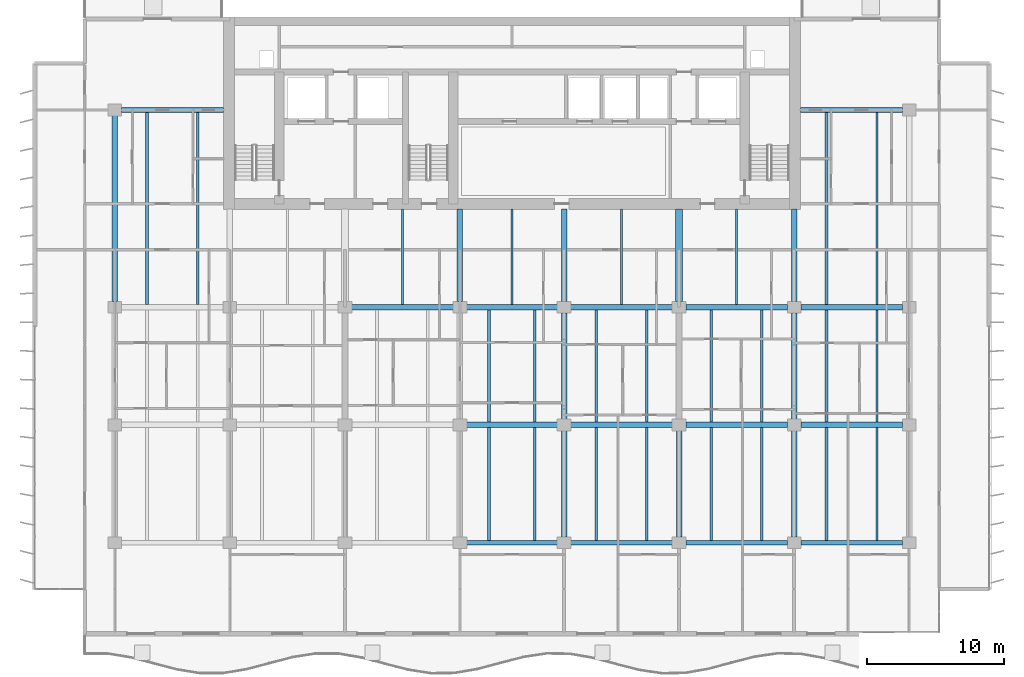
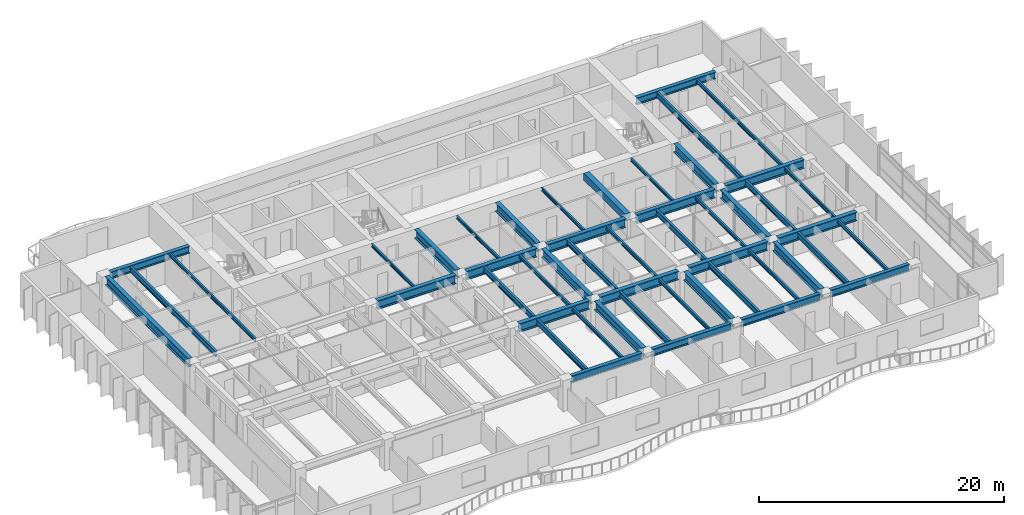
# One storey, part 3 of 19: 49 beams.
"""IFC4 building model written with IfcOpenShell, lengths in metres."""

from ifc_helpers import new_model, si_unit, direction, frame, origin, origin_2d, place, context, subcontext, project, spatial, rectangle, i_section, extrude, material, material_profile, profile_set, type_object, element, save


model = new_model("IFC4")

# Units and contexts
model_context = context("Model", 3, precision=1e-05, world=origin(), true_north=direction((0.0, 1.0)))
body_context = subcontext(model_context, "Body", "Model", "MODEL_VIEW")
ifc_project = project(units=[si_unit("LENGTHUNIT", "METRE"), si_unit("AREAUNIT", "SQUARE_METRE"), si_unit("VOLUMEUNIT", "CUBIC_METRE"), si_unit("PLANEANGLEUNIT", "RADIAN"), si_unit("MASSUNIT", "GRAM", prefix="KILO")], contexts=[model_context])

# Site, building, storey
site_placement = place(None, origin())
site = spatial("IfcSite", under=ifc_project, at=site_placement, CompositionType="ELEMENT")
building_placement = place(site_placement, origin())
building = spatial("IfcBuilding", under=site, at=building_placement, Name="Caelmar Bay Residences", CompositionType="ELEMENT")
storey_placement = place(building_placement, frame((0.0, 0.0, 112.5)))
storey = spatial("IfcBuildingStorey", under=building, at=storey_placement, Name="L30", CompositionType="ELEMENT", Elevation=112.5)

# Beams
ifc_material_1 = material(Name="Steel ASTM A992 Grade 50", Category="steel")
ifc_material_profile_1 = material_profile(ifc_material_1, i_section(OverallWidth=0.40087890625, OverallDepth=0.861083984375, WebThickness=0.019775390625, FlangeThickness=0.032470703125, FilletRadius=0.017822265625, at=origin_2d()), Name="W33X221")
ifc_profile_set_1 = profile_set([ifc_material_profile_1], Name="Steel ASTM A992 Grade 50")
beam_type_1 = type_object("IfcBeamType", Name="BM-GRD-W33X221", PredefinedType="BEAM", material=ifc_profile_set_1)
beam_1_placement = place(storey_placement, frame((35.590087890625, 20.800048828125, 2.619384765625), z_axis=(1.0, 0.0, 0.0), x_axis=(0.0, 1.0, 0.0)))
element("IfcBeam", 1, at=beam_1_placement, inside=storey, type_object=beam_type_1, Name="L30 East-West Girder Y=20.80 (35.1-42.7)", PredefinedType="BEAM", context=body_context, shape_type="SweptSolid", body=[
    extrude(i_section(OverallWidth=0.40087890625, OverallDepth=0.861083984375, WebThickness=0.019775390625, FlangeThickness=0.032470703125, FilletRadius=0.017822265625, at=origin_2d()), origin(), (0.0, 0.0, 1.0), 6.619873046875),
])
beam_2_placement = place(storey_placement, frame((43.18994140625, 20.800048828125, 2.619384765625), z_axis=(1.0, 0.0, 0.0), x_axis=(0.0, 1.0, 0.0)))
element("IfcBeam", 2, at=beam_2_placement, inside=storey, type_object=beam_type_1, Name="L30 East-West Girder Y=20.80 (42.7-51.1)", PredefinedType="BEAM", context=body_context, shape_type="SweptSolid", body=[
    extrude(i_section(OverallWidth=0.40087890625, OverallDepth=0.861083984375, WebThickness=0.019775390625, FlangeThickness=0.032470703125, FilletRadius=0.017822265625, at=origin_2d()), origin(), (0.0, 0.0, 1.0), 7.420166015625),
])
for number, where, z_axis, x_axis, name in (
    (3, (51.590087890625, 20.800048828125, 2.619384765625), (1.0, 0.0, 0.0), (0.0, 1.0, 0.0), "L30 East-West Girder Y=20.80 (51.1-59.5)"),
    (4, (59.989990234375, 20.800048828125, 2.619384765625), (1.0, 0.0, 0.0), (0.0, 1.0, 0.0), "L30 East-West Girder Y=20.80 (59.5-67.9)"),
):
    element("IfcBeam", number, at=place(storey_placement, frame(where, z_axis=z_axis, x_axis=x_axis)), inside=storey, type_object=beam_type_1, Name=name, PredefinedType="BEAM", context=body_context, shape_type="SweptSolid", body=[
        extrude(i_section(OverallWidth=0.40087890625, OverallDepth=0.861083984375, WebThickness=0.019775390625, FlangeThickness=0.032470703125, FilletRadius=0.017822265625, at=origin_2d()), origin(), (0.0, 0.0, 1.0), 7.419921875),
    ])
beam_3_placement = place(storey_placement, frame((27.18994140625, 29.39990234375, 2.619384765625), z_axis=(1.0, 0.0, 0.0), x_axis=(0.0, 1.0, 0.0)))
element("IfcBeam", 5, at=beam_3_placement, inside=storey, type_object=beam_type_1, Name="L30 East-West Girder Y=29.40 (26.7-35.1)", PredefinedType="BEAM", context=body_context, shape_type="SweptSolid", body=[
    extrude(i_section(OverallWidth=0.40087890625, OverallDepth=0.861083984375, WebThickness=0.019775390625, FlangeThickness=0.032470703125, FilletRadius=0.017822265625, at=origin_2d()), origin(), (0.0, 0.0, 1.0), 7.420166015625),
])
beam_4_placement = place(storey_placement, frame((35.590087890625, 29.39990234375, 2.619384765625), z_axis=(1.0, 0.0, 0.0), x_axis=(0.0, 1.0, 0.0)))
element("IfcBeam", 6, at=beam_4_placement, inside=storey, type_object=beam_type_1, Name="L30 East-West Girder Y=29.40 (35.1-42.7)", PredefinedType="BEAM", context=body_context, shape_type="SweptSolid", body=[
    extrude(i_section(OverallWidth=0.40087890625, OverallDepth=0.861083984375, WebThickness=0.019775390625, FlangeThickness=0.032470703125, FilletRadius=0.017822265625, at=origin_2d()), origin(), (0.0, 0.0, 1.0), 6.619873046875),
])
beam_5_placement = place(storey_placement, frame((43.18994140625, 29.39990234375, 2.619384765625), z_axis=(1.0, 0.0, 0.0), x_axis=(0.0, 1.0, 0.0)))
element("IfcBeam", 7, at=beam_5_placement, inside=storey, type_object=beam_type_1, Name="L30 East-West Girder Y=29.40 (42.7-51.1)", PredefinedType="BEAM", context=body_context, shape_type="SweptSolid", body=[
    extrude(i_section(OverallWidth=0.40087890625, OverallDepth=0.861083984375, WebThickness=0.019775390625, FlangeThickness=0.032470703125, FilletRadius=0.017822265625, at=origin_2d()), origin(), (0.0, 0.0, 1.0), 7.420166015625),
])
for number, where, z_axis, x_axis, name in (
    (8, (51.590087890625, 29.39990234375, 2.619384765625), (1.0, 0.0, 0.0), (0.0, 1.0, 0.0), "L30 East-West Girder Y=29.40 (51.1-59.5)"),
    (9, (59.989990234375, 29.39990234375, 2.619384765625), (1.0, 0.0, 0.0), (0.0, 1.0, 0.0), "L30 East-West Girder Y=29.40 (59.5-67.9)"),
):
    element("IfcBeam", number, at=place(storey_placement, frame(where, z_axis=z_axis, x_axis=x_axis)), inside=storey, type_object=beam_type_1, Name=name, PredefinedType="BEAM", context=body_context, shape_type="SweptSolid", body=[
        extrude(i_section(OverallWidth=0.40087890625, OverallDepth=0.861083984375, WebThickness=0.019775390625, FlangeThickness=0.032470703125, FilletRadius=0.017822265625, at=origin_2d()), origin(), (0.0, 0.0, 1.0), 7.419921875),
    ])
beam_6_placement = place(storey_placement, frame((9.89990234375, 29.81494140625, 2.619384765625), z_axis=(0.0, 1.0, 0.0), x_axis=(-1.0, 0.0, 0.0)))
element("IfcBeam", 10, at=beam_6_placement, inside=storey, type_object=beam_type_1, Name="L30 North-South Girder X=9.90 (29.4-43.8)", PredefinedType="BEAM", context=body_context, shape_type="SweptSolid", body=[
    extrude(i_section(OverallWidth=0.40087890625, OverallDepth=0.861083984375, WebThickness=0.019775390625, FlangeThickness=0.032470703125, FilletRadius=0.017822265625, at=origin_2d()), origin(), (0.0, 0.0, 1.0), 13.570068359375),
])
for number, where, z_axis, x_axis, name in (
    (11, (35.10009765625, 29.81494140625, 2.619384765625), (0.0, 1.0, 0.0), (-1.0, 0.0, 0.0), "L30 Core Tie Girder X=35.10"),
    (12, (42.699951171875, 29.81494140625, 2.619384765625), (0.0, 1.0, 0.0), (-1.0, 0.0, 0.0), "L30 Core Tie Girder X=42.70"),
):
    element("IfcBeam", number, at=place(storey_placement, frame(where, z_axis=z_axis, x_axis=x_axis)), inside=storey, type_object=beam_type_1, Name=name, PredefinedType="BEAM", context=body_context, shape_type="SweptSolid", body=[
        extrude(i_section(OverallWidth=0.40087890625, OverallDepth=0.861083984375, WebThickness=0.019775390625, FlangeThickness=0.032470703125, FilletRadius=0.017822265625, at=origin_2d()), origin(), (0.0, 0.0, 1.0), 6.735107421875),
    ])
for number, where, z_axis, x_axis, name in (
    (13, (42.699951171875, 12.614990234375, 2.619384765625), (0.0, 1.0, 0.0), (-1.0, 0.0, 0.0), "L30 North-South Girder X=42.70 (12.2-20.8)"),
    (14, (42.699951171875, 21.215087890625, 2.619384765625), (0.0, 1.0, 0.0), (-1.0, 0.0, 0.0), "L30 North-South Girder X=42.70 (20.8-29.4)"),
    (15, (51.10009765625, 12.614990234375, 2.619384765625), (0.0, 1.0, 0.0), (-1.0, 0.0, 0.0), "L30 North-South Girder X=51.10 (12.2-20.8)"),
):
    element("IfcBeam", number, at=place(storey_placement, frame(where, z_axis=z_axis, x_axis=x_axis)), inside=storey, type_object=beam_type_1, Name=name, PredefinedType="BEAM", context=body_context, shape_type="SweptSolid", body=[
        extrude(i_section(OverallWidth=0.40087890625, OverallDepth=0.861083984375, WebThickness=0.019775390625, FlangeThickness=0.032470703125, FilletRadius=0.017822265625, at=origin_2d()), origin(), (0.0, 0.0, 1.0), 7.77001953125),
    ])
beam_7_placement = place(storey_placement, frame((59.5, 29.81494140625, 2.619384765625), z_axis=(0.0, 1.0, 0.0), x_axis=(-1.0, 0.0, 0.0)))
element("IfcBeam", 16, at=beam_7_placement, inside=storey, type_object=beam_type_1, Name="L30 Core Tie Girder X=59.50", PredefinedType="BEAM", context=body_context, shape_type="SweptSolid", body=[
    extrude(i_section(OverallWidth=0.40087890625, OverallDepth=0.861083984375, WebThickness=0.019775390625, FlangeThickness=0.032470703125, FilletRadius=0.017822265625, at=origin_2d()), origin(), (0.0, 0.0, 1.0), 6.735107421875),
])
for number, where, z_axis, x_axis, name in (
    (17, (59.5, 12.614990234375, 2.619384765625), (0.0, 1.0, 0.0), (-1.0, 0.0, 0.0), "L30 North-South Girder X=59.50 (12.2-20.8)"),
    (18, (59.5, 21.215087890625, 2.619384765625), (0.0, 1.0, 0.0), (-1.0, 0.0, 0.0), "L30 North-South Girder X=59.50 (20.8-29.4)"),
):
    element("IfcBeam", number, at=place(storey_placement, frame(where, z_axis=z_axis, x_axis=x_axis)), inside=storey, type_object=beam_type_1, Name=name, PredefinedType="BEAM", context=body_context, shape_type="SweptSolid", body=[
        extrude(i_section(OverallWidth=0.40087890625, OverallDepth=0.861083984375, WebThickness=0.019775390625, FlangeThickness=0.032470703125, FilletRadius=0.017822265625, at=origin_2d()), origin(), (0.0, 0.0, 1.0), 7.77001953125),
    ])
ifc_material_profile_2 = material_profile(ifc_material_1, i_section(OverallWidth=0.1650390625, OverallDepth=0.31005859375, WebThickness=0.005859375, FlangeThickness=0.009765625, FilletRadius=0.007568359375, at=origin_2d()), Name="W12X26")
ifc_profile_set_2 = profile_set([ifc_material_profile_2], Name="Steel ASTM A992 Grade 50")
beam_type_2 = type_object("IfcBeamType", Name="BM-JST-W12X26", PredefinedType="JOIST", material=ifc_profile_set_2)
for number, where, z_axis, x_axis, name in (
    (19, (30.89990234375, 29.6005859375, 2.89501953125), (0.0, 1.0, 0.0), (-1.0, 0.0, 0.0), "L30 Core-Band Composite Joist 30"),
    (20, (38.89990234375, 29.6005859375, 2.89501953125), (0.0, 1.0, 0.0), (-1.0, 0.0, 0.0), "L30 Core-Band Composite Joist 31"),
    (21, (46.89990234375, 29.6005859375, 2.89501953125), (0.0, 1.0, 0.0), (-1.0, 0.0, 0.0), "L30 Core-Band Composite Joist 32"),
    (22, (55.300048828125, 29.6005859375, 2.89501953125), (0.0, 1.0, 0.0), (-1.0, 0.0, 0.0), "L30 Core-Band Composite Joist 33"),
):
    element("IfcBeam", number, at=place(storey_placement, frame(where, z_axis=z_axis, x_axis=x_axis)), inside=storey, type_object=beam_type_2, Name=name, PredefinedType="JOIST", context=body_context, shape_type="SweptSolid", body=[
        extrude(i_section(OverallWidth=0.1650390625, OverallDepth=0.31005859375, WebThickness=0.005859375, FlangeThickness=0.009765625, FilletRadius=0.007568359375, at=origin_2d()), origin(), (0.0, 0.0, 1.0), 6.949462890625),
    ])
ifc_material_profile_3 = material_profile(ifc_material_1, i_section(OverallWidth=0.1708984375, OverallDepth=0.35595703125, WebThickness=0.007080078125, FlangeThickness=0.01171875, FilletRadius=0.007568359375, at=origin_2d()), Name="W14X34")
ifc_profile_set_3 = profile_set([ifc_material_profile_3], Name="Steel ASTM A992 Grade 50")
beam_type_3 = type_object("IfcBeamType", Name="BM-JST-W14X34", PredefinedType="JOIST", material=ifc_profile_set_3)
for number, where, z_axis, x_axis, name in (
    (23, (40.572021484375, 12.3779296875, 2.8720703125), (0.0, 1.0, 0.0), (-1.0, 0.0, 0.0), "L30 Composite Floor Joist 8"),
    (24, (48.748046875, 12.3779296875, 2.8720703125), (0.0, 1.0, 0.0), (-1.0, 0.0, 0.0), "L30 Composite Floor Joist 10"),
    (25, (57.14794921875, 12.3779296875, 2.8720703125), (0.0, 1.0, 0.0), (-1.0, 0.0, 0.0), "L30 Composite Floor Joist 12"),
    (26, (65.548095703125, 12.3779296875, 2.8720703125), (0.0, 1.0, 0.0), (-1.0, 0.0, 0.0), "L30 Composite Floor Joist 14"),
):
    element("IfcBeam", number, at=place(storey_placement, frame(where, z_axis=z_axis, x_axis=x_axis)), inside=storey, type_object=beam_type_3, Name=name, PredefinedType="JOIST", context=body_context, shape_type="SweptSolid", body=[
        extrude(i_section(OverallWidth=0.1708984375, OverallDepth=0.35595703125, WebThickness=0.007080078125, FlangeThickness=0.01171875, FilletRadius=0.007568359375, at=origin_2d()), origin(), (0.0, 0.0, 1.0), 8.2216796875),
    ])
for number, where, z_axis, x_axis, name in (
    (27, (40.572021484375, 21.00048828125, 2.8720703125), (0.0, 1.0, 0.0), (-1.0, 0.0, 0.0), "L30 Composite Floor Joist 22"),
    (28, (48.748046875, 21.00048828125, 2.8720703125), (0.0, 1.0, 0.0), (-1.0, 0.0, 0.0), "L30 Composite Floor Joist 24"),
    (29, (57.14794921875, 21.00048828125, 2.8720703125), (0.0, 1.0, 0.0), (-1.0, 0.0, 0.0), "L30 Composite Floor Joist 26"),
    (30, (65.548095703125, 21.00048828125, 2.8720703125), (0.0, 1.0, 0.0), (-1.0, 0.0, 0.0), "L30 Composite Floor Joist 28"),
):
    element("IfcBeam", number, at=place(storey_placement, frame(where, z_axis=z_axis, x_axis=x_axis)), inside=storey, type_object=beam_type_3, Name=name, PredefinedType="JOIST", context=body_context, shape_type="SweptSolid", body=[
        extrude(i_section(OverallWidth=0.1708984375, OverallDepth=0.35595703125, WebThickness=0.007080078125, FlangeThickness=0.01171875, FilletRadius=0.007568359375, at=origin_2d()), origin(), (0.0, 0.0, 1.0), 8.198974609375),
    ])
for number, where, z_axis, x_axis, name in (
    (31, (15.947998046875, 29.6005859375, 2.8720703125), (0.0, 1.0, 0.0), (-1.0, 0.0, 0.0), "L30 Composite Floor Joist 35"),
    (32, (65.548095703125, 29.6005859375, 2.8720703125), (0.0, 1.0, 0.0), (-1.0, 0.0, 0.0), "L30 Composite Floor Joist 37"),
):
    element("IfcBeam", number, at=place(storey_placement, frame(where, z_axis=z_axis, x_axis=x_axis)), inside=storey, type_object=beam_type_3, Name=name, PredefinedType="JOIST", context=body_context, shape_type="SweptSolid", body=[
        extrude(i_section(OverallWidth=0.1708984375, OverallDepth=0.35595703125, WebThickness=0.007080078125, FlangeThickness=0.01171875, FilletRadius=0.007568359375, at=origin_2d()), origin(), (0.0, 0.0, 1.0), 14.021484375),
    ])
ifc_material_profile_4 = material_profile(ifc_material_1, i_section(OverallWidth=0.214111328125, OverallDepth=0.549072265625, WebThickness=0.0146484375, FlangeThickness=0.023681640625, FilletRadius=0.0126953125, at=origin_2d()), Name="W21X93")
ifc_profile_set_4 = profile_set([ifc_material_profile_4], Name="Steel ASTM A992 Grade 50")
beam_type_4 = type_object("IfcBeamType", Name="BM-JST-W21X93", PredefinedType="JOIST", material=ifc_profile_set_4)
for number, where, z_axis, x_axis, name in (
    (33, (37.22802734375, 12.3779296875, 2.775390625), (0.0, 1.0, 0.0), (-1.0, 0.0, 0.0), "L30 Composite Floor Joist 7"),
    (34, (45.052001953125, 12.3779296875, 2.775390625), (0.0, 1.0, 0.0), (-1.0, 0.0, 0.0), "L30 Composite Floor Joist 9"),
    (35, (53.451904296875, 12.3779296875, 2.775390625), (0.0, 1.0, 0.0), (-1.0, 0.0, 0.0), "L30 Composite Floor Joist 11"),
    (36, (61.85205078125, 12.3779296875, 2.775390625), (0.0, 1.0, 0.0), (-1.0, 0.0, 0.0), "L30 Composite Floor Joist 13"),
):
    element("IfcBeam", number, at=place(storey_placement, frame(where, z_axis=z_axis, x_axis=x_axis)), inside=storey, type_object=beam_type_4, Name=name, PredefinedType="JOIST", context=body_context, shape_type="SweptSolid", body=[
        extrude(i_section(OverallWidth=0.214111328125, OverallDepth=0.549072265625, WebThickness=0.0146484375, FlangeThickness=0.023681640625, FilletRadius=0.0126953125, at=origin_2d()), origin(), (0.0, 0.0, 1.0), 8.2216796875),
    ])
for number, where, z_axis, x_axis, name in (
    (37, (37.22802734375, 21.00048828125, 2.775390625), (0.0, 1.0, 0.0), (-1.0, 0.0, 0.0), "L30 Composite Floor Joist 21"),
    (38, (45.052001953125, 21.00048828125, 2.775390625), (0.0, 1.0, 0.0), (-1.0, 0.0, 0.0), "L30 Composite Floor Joist 23"),
    (39, (53.451904296875, 21.00048828125, 2.775390625), (0.0, 1.0, 0.0), (-1.0, 0.0, 0.0), "L30 Composite Floor Joist 25"),
    (40, (61.85205078125, 21.00048828125, 2.775390625), (0.0, 1.0, 0.0), (-1.0, 0.0, 0.0), "L30 Composite Floor Joist 27"),
):
    element("IfcBeam", number, at=place(storey_placement, frame(where, z_axis=z_axis, x_axis=x_axis)), inside=storey, type_object=beam_type_4, Name=name, PredefinedType="JOIST", context=body_context, shape_type="SweptSolid", body=[
        extrude(i_section(OverallWidth=0.214111328125, OverallDepth=0.549072265625, WebThickness=0.0146484375, FlangeThickness=0.023681640625, FilletRadius=0.0126953125, at=origin_2d()), origin(), (0.0, 0.0, 1.0), 8.198974609375),
    ])
for number, where, z_axis, x_axis, name in (
    (41, (12.251953125, 29.6005859375, 2.775390625), (0.0, 1.0, 0.0), (-1.0, 0.0, 0.0), "L30 Composite Floor Joist 34"),
    (42, (61.85205078125, 29.6005859375, 2.775390625), (0.0, 1.0, 0.0), (-1.0, 0.0, 0.0), "L30 Composite Floor Joist 36"),
):
    element("IfcBeam", number, at=place(storey_placement, frame(where, z_axis=z_axis, x_axis=x_axis)), inside=storey, type_object=beam_type_4, Name=name, PredefinedType="JOIST", context=body_context, shape_type="SweptSolid", body=[
        extrude(i_section(OverallWidth=0.214111328125, OverallDepth=0.549072265625, WebThickness=0.0146484375, FlangeThickness=0.023681640625, FilletRadius=0.0126953125, at=origin_2d()), origin(), (0.0, 0.0, 1.0), 14.021484375),
    ])
ifc_material_2 = material(Name="Concrete f'c 55 MPa (8,000 psi)", Category="concrete")
ifc_material_profile_5 = material_profile(ifc_material_2, rectangle(XDim=0.5, YDim=0.699951171875, at=origin_2d()), Name="RC-BM-500X700")
ifc_profile_set_5 = profile_set([ifc_material_profile_5], Name="Concrete f'c 55 MPa (8,000 psi)")
beam_type_5 = type_object("IfcBeamType", Name="BM-RC-500X700", PredefinedType="LINTEL", material=ifc_profile_set_5)
beam_8_placement = place(storey_placement, frame((51.10009765625, 29.81494140625, 2.699951171875), z_axis=(0.0, 1.0, 0.0), x_axis=(-1.0, 0.0, 0.0)))
element("IfcBeam", 43, at=beam_8_placement, inside=storey, type_object=beam_type_5, Name="L30 Shear-Wall Corridor Coupling Lintel E8", PredefinedType="LINTEL", context=body_context, shape_type="SweptSolid", body=[
    extrude(rectangle(XDim=0.5, YDim=0.699951171875, at=origin_2d()), origin(), (0.0, 0.0, 1.0), 6.735107421875),
])
ifc_material_profile_6 = material_profile(ifc_material_1, i_section(OverallWidth=0.35595703125, OverallDepth=0.696044921875, WebThickness=0.015380859375, FlangeThickness=0.02490234375, FilletRadius=0.01513671875, at=origin_2d()), Name="W27X146")
ifc_profile_set_6 = profile_set([ifc_material_profile_6], Name="Steel ASTM A992 Grade 50")
beam_type_6 = type_object("IfcBeamType", Name="BM-SPN-W27X146", PredefinedType="SPANDREL", material=ifc_profile_set_6)
beam_9_placement = place(storey_placement, frame((35.590087890625, 12.199951171875, 2.701904296875), z_axis=(1.0, 0.0, 0.0), x_axis=(0.0, 1.0, 0.0)))
element("IfcBeam", 44, at=beam_9_placement, inside=storey, type_object=beam_type_6, Name="L30 East-West Girder Y=12.20 (35.1-42.7)", PredefinedType="SPANDREL", context=body_context, shape_type="SweptSolid", body=[
    extrude(i_section(OverallWidth=0.35595703125, OverallDepth=0.696044921875, WebThickness=0.015380859375, FlangeThickness=0.02490234375, FilletRadius=0.01513671875, at=origin_2d()), origin(), (0.0, 0.0, 1.0), 6.619873046875),
])
beam_10_placement = place(storey_placement, frame((43.18994140625, 12.199951171875, 2.701904296875), z_axis=(1.0, 0.0, 0.0), x_axis=(0.0, 1.0, 0.0)))
element("IfcBeam", 45, at=beam_10_placement, inside=storey, type_object=beam_type_6, Name="L30 East-West Girder Y=12.20 (42.7-51.1)", PredefinedType="SPANDREL", context=body_context, shape_type="SweptSolid", body=[
    extrude(i_section(OverallWidth=0.35595703125, OverallDepth=0.696044921875, WebThickness=0.015380859375, FlangeThickness=0.02490234375, FilletRadius=0.01513671875, at=origin_2d()), origin(), (0.0, 0.0, 1.0), 7.420166015625),
])
for number, where, z_axis, x_axis, name in (
    (46, (51.590087890625, 12.199951171875, 2.701904296875), (1.0, 0.0, 0.0), (0.0, 1.0, 0.0), "L30 East-West Girder Y=12.20 (51.1-59.5)"),
    (47, (59.989990234375, 12.199951171875, 2.701904296875), (1.0, 0.0, 0.0), (0.0, 1.0, 0.0), "L30 East-West Girder Y=12.20 (59.5-67.9)"),
):
    element("IfcBeam", number, at=place(storey_placement, frame(where, z_axis=z_axis, x_axis=x_axis)), inside=storey, type_object=beam_type_6, Name=name, PredefinedType="SPANDREL", context=body_context, shape_type="SweptSolid", body=[
        extrude(i_section(OverallWidth=0.35595703125, OverallDepth=0.696044921875, WebThickness=0.015380859375, FlangeThickness=0.02490234375, FilletRadius=0.01513671875, at=origin_2d()), origin(), (0.0, 0.0, 1.0), 7.419921875),
    ])
beam_11_placement = place(storey_placement, frame((10.389892578125, 43.800048828125, 2.701904296875), z_axis=(1.0, 0.0, 0.0), x_axis=(0.0, 1.0, 0.0)))
element("IfcBeam", 48, at=beam_11_placement, inside=storey, type_object=beam_type_6, Name="L30 North-West Wing Core Tie Girder", PredefinedType="SPANDREL", context=body_context, shape_type="SweptSolid", body=[
    extrude(i_section(OverallWidth=0.35595703125, OverallDepth=0.696044921875, WebThickness=0.015380859375, FlangeThickness=0.02490234375, FilletRadius=0.01513671875, at=origin_2d()), origin(), (0.0, 0.0, 1.0), 7.460205078125),
])
beam_12_placement = place(storey_placement, frame((59.949951171875, 43.800048828125, 2.701904296875), z_axis=(1.0, 0.0, 0.0), x_axis=(0.0, 1.0, 0.0)))
element("IfcBeam", 49, at=beam_12_placement, inside=storey, type_object=beam_type_6, Name="L30 North-East Wing Core Tie Girder", PredefinedType="SPANDREL", context=body_context, shape_type="SweptSolid", body=[
    extrude(i_section(OverallWidth=0.35595703125, OverallDepth=0.696044921875, WebThickness=0.015380859375, FlangeThickness=0.02490234375, FilletRadius=0.01513671875, at=origin_2d()), origin(), (0.0, 0.0, 1.0), 7.4599609375),
])

save(model, "model.ifc")
